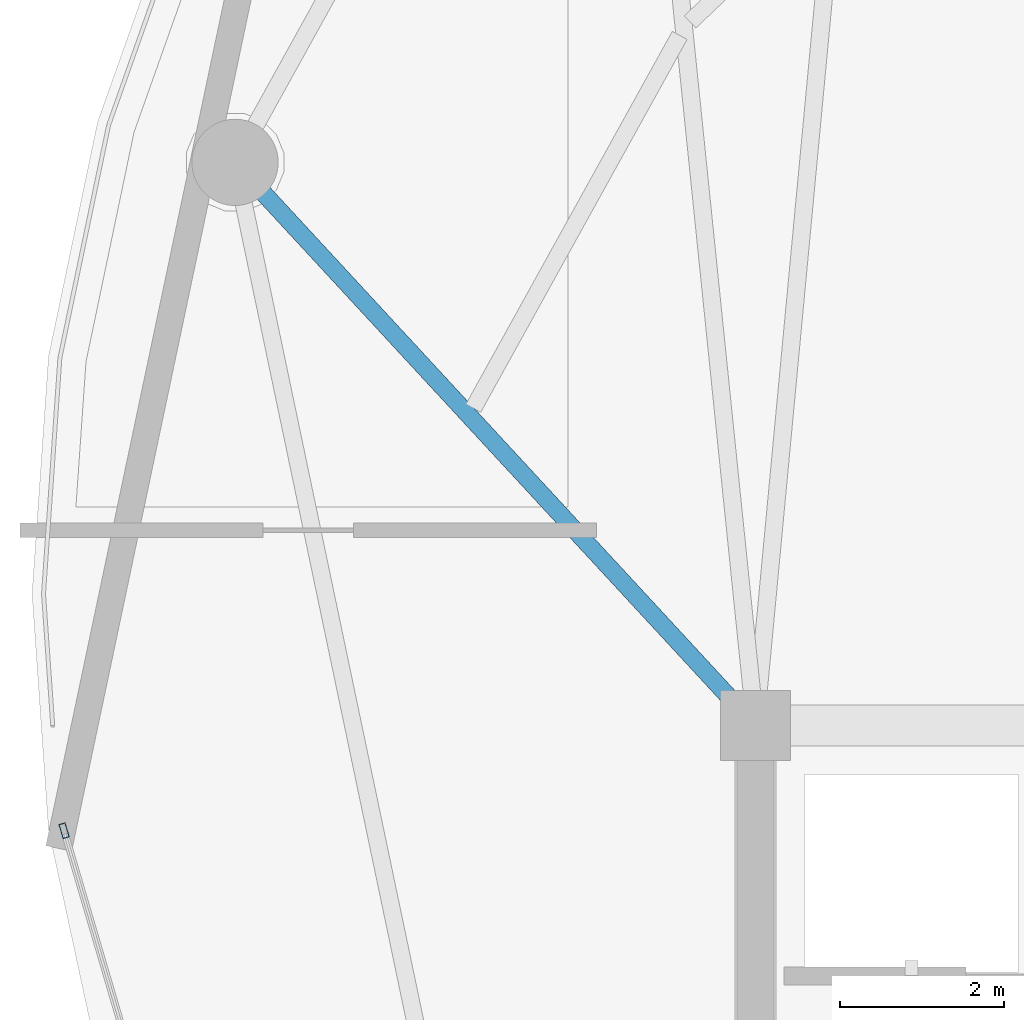
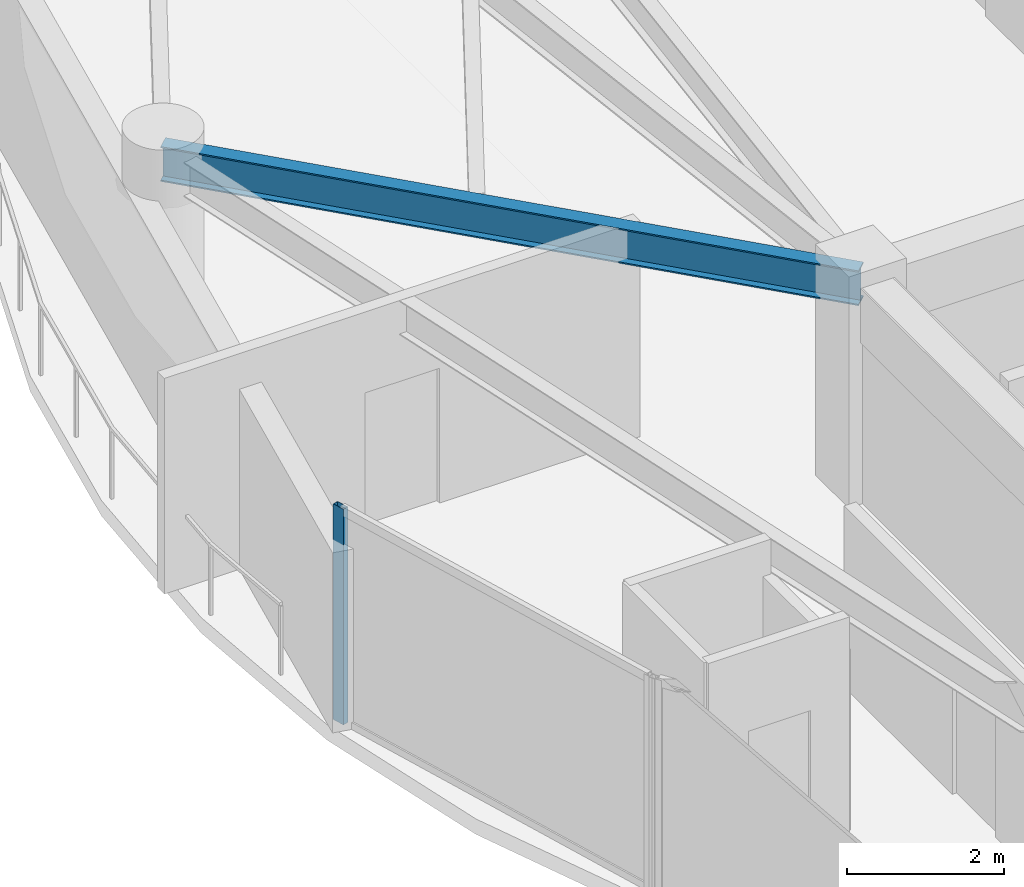
# One storey, part 7 of 28: 1 beam, 1 member, 1 element without a shape of its own.
"""IFC4 building model written with IfcOpenShell, lengths in metres."""

from ifc_helpers import new_model, si_unit, direction, frame, origin, origin_2d, place, context, subcontext, project, spatial, hollow_rectangle, i_section, extrude, material, layer, layer_set, material_profile, profile_set, type_object, element, aggregate, save


model = new_model("IFC4")

# Units and contexts
model_context = context("Model", 3, precision=1e-05, world=origin(), true_north=direction((0.0, 1.0)))
body_context = subcontext(model_context, "Body", "Model", "MODEL_VIEW")
ifc_project = project(units=[si_unit("LENGTHUNIT", "METRE"), si_unit("AREAUNIT", "SQUARE_METRE"), si_unit("VOLUMEUNIT", "CUBIC_METRE"), si_unit("PLANEANGLEUNIT", "RADIAN"), si_unit("MASSUNIT", "GRAM", prefix="KILO")], contexts=[model_context])

# Site, building, storey
site_placement = place(None, origin())
site = spatial("IfcSite", under=ifc_project, at=site_placement, CompositionType="ELEMENT")
building_placement = place(site_placement, origin())
building = spatial("IfcBuilding", under=site, at=building_placement, Name="Kazevale Care Tower and Concert Hall", CompositionType="ELEMENT")
storey_placement = place(building_placement, frame((0.0, 0.0, 228.0)))
storey = spatial("IfcBuildingStorey", under=building, at=storey_placement, Name="L60", CompositionType="ELEMENT", Elevation=228.0)

# Curtain wall, member
ifc_material_1 = material(Name="Aluminium 6063-T6 and Low-E Glass", Category="aluminium")
ifc_layer = layer(ifc_material_1, 0.179931640625)
ifc_layer_set = layer_set([ifc_layer], Name="Aluminium 6063-T6 and Low-E Glass")
curtain_wall_type = type_object("IfcCurtainWallType", Name="Waist & Upper Residential Curtain Wall CW-4", PredefinedType="NOTDEFINED", material=ifc_layer_set)
curtain_wall_placement = place(storey_placement, origin())
curtain_wall = element("IfcCurtainWall", 1, at=curtain_wall_placement, inside=storey, type_object=curtain_wall_type, Name="cw:L60:f12", PredefinedType="NOTDEFINED")
ifc_material_2 = material(Name="Aluminium 6063-T6", Category="aluminium")
ifc_material_profile_1 = material_profile(ifc_material_2, hollow_rectangle(XDim=0.080078125, YDim=0.179931640625, WallThickness=0.0048828125, at=origin_2d()), Name="ALU80x180x5")
ifc_profile_set_1 = profile_set([ifc_material_profile_1], Name="Aluminium 6063-T6")
member_type = type_object("IfcMemberType", Name="CW-4 Mullion ALU80x180x5", PredefinedType="MULLION", material=ifc_profile_set_1)
member_placement = place(storey_placement, frame((13.59033203125, 35.11865234375, 0.0), z_axis=(0.0, 0.0, 1.0), x_axis=(-0.959385539982, -0.282098184457, 0.0)))
member = element("IfcMember", 2, at=member_placement, type_object=member_type, Name="CW-4 mullion 2", PredefinedType="MULLION", context=body_context, shape_type="SweptSolid", body=[
    extrude(hollow_rectangle(XDim=0.080078125, YDim=0.179931640625, WallThickness=0.0048828125, at=origin_2d()), origin(), (0.0, 0.0, 1.0), 3.360107421875),
])
aggregate(curtain_wall, [member])

# Beam
ifc_material_3 = material(Name="Steel ASTM A572 Gr 50", Category="steel")
ifc_material_profile_2 = material_profile(ifc_material_3, i_section(OverallWidth=0.2119140625, OverallDepth=0.5439453125, WebThickness=0.01318359375, FlangeThickness=0.021240234375, at=origin_2d()), Name="W530x123")
ifc_profile_set_2 = profile_set([ifc_material_profile_2], Name="Steel ASTM A572 Gr 50")
beam_type = type_object("IfcBeamType", Name="Radial Floor Girder W530x123", PredefinedType="BEAM", material=ifc_profile_set_2)
beam_placement = place(storey_placement, frame((22.0, 36.39990234375, 3.087890625), z_axis=(-0.678680078581, 0.734434034435, 0.0), x_axis=(-0.734434034435, -0.678680078581, 0.0)))
element("IfcBeam", 3, at=beam_placement, inside=storey, type_object=beam_type, Name="beam:L60:rad:09", PredefinedType="BEAM", context=body_context, shape_type="SweptSolid", body=[
    extrude(i_section(OverallWidth=0.2119140625, OverallDepth=0.5439453125, WebThickness=0.01318359375, FlangeThickness=0.021240234375, at=origin_2d()), origin(), (0.0, 0.0, 1.0), 9.3271484375),
])

save(model, "model.ifc")
